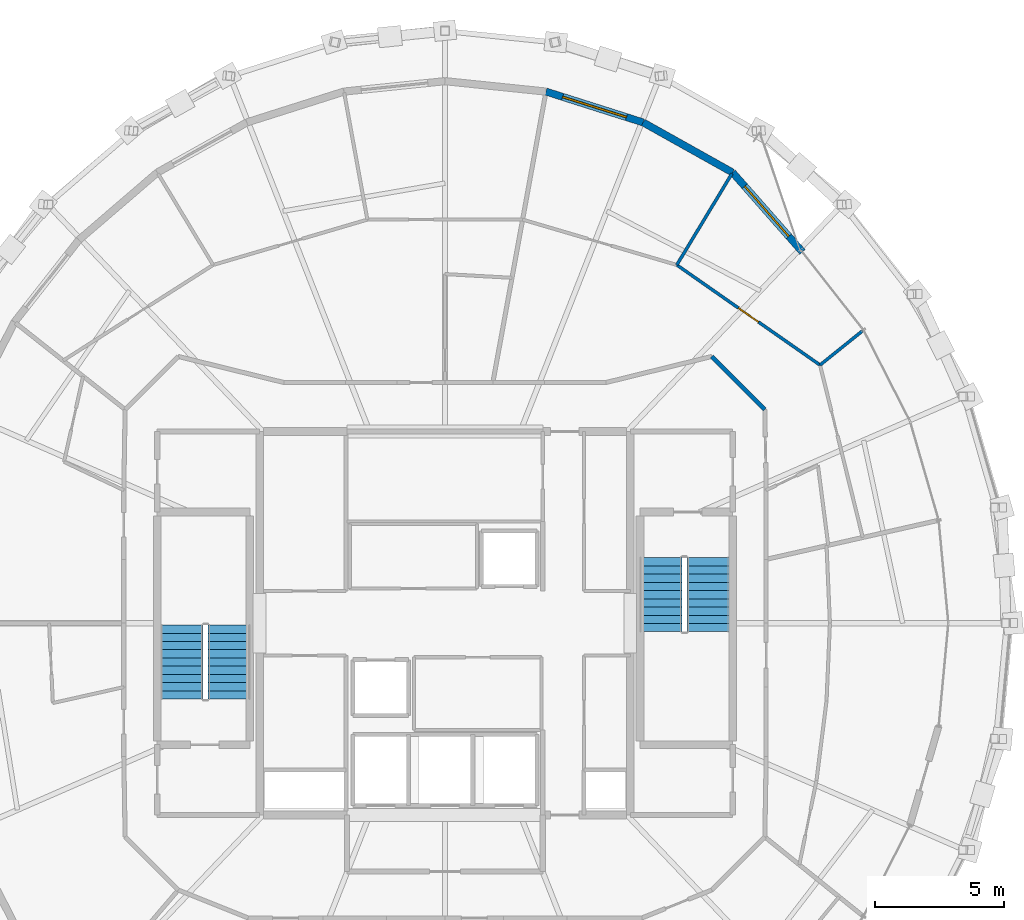
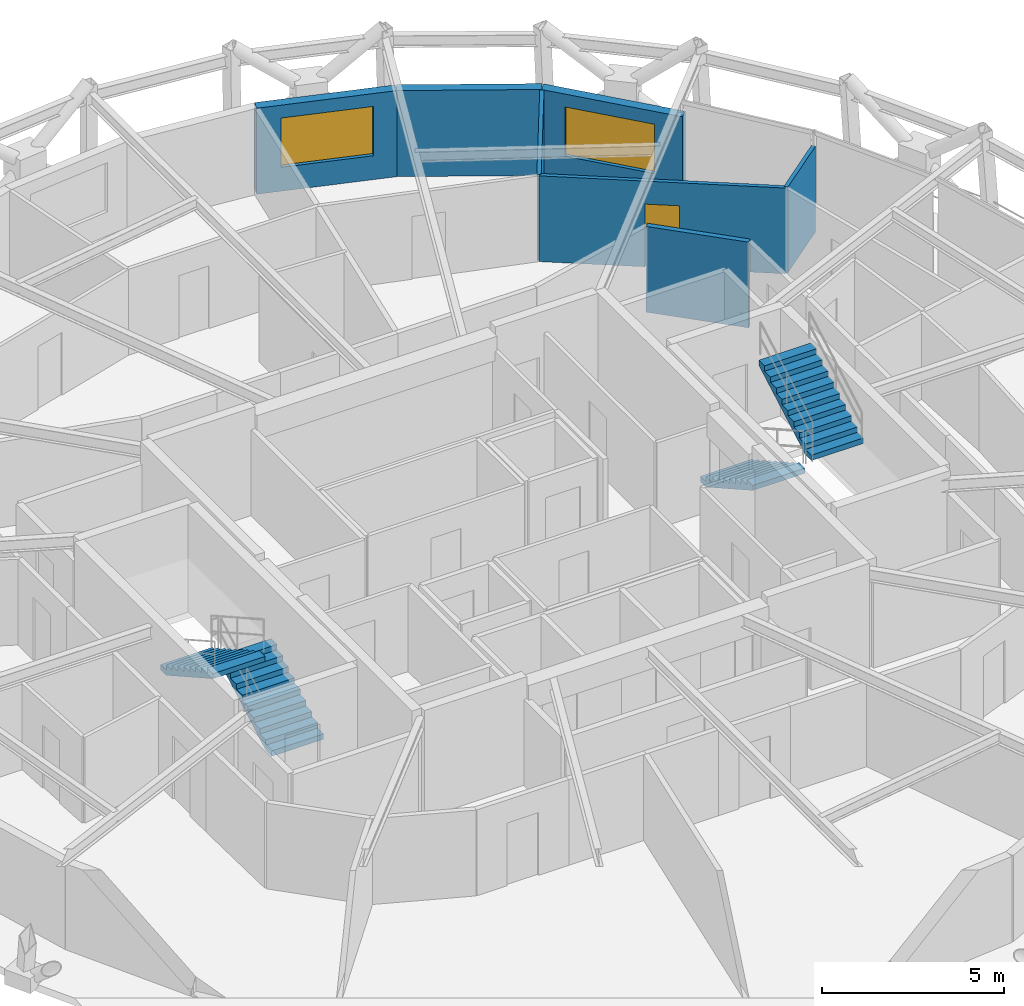
# One storey, part 14 of 15: 7 walls, 4 stair flights, 2 windows, 1 door, 3 openings, 2 elements without a shape of their own.
"""IFC4 building model written with IfcOpenShell, lengths in metres."""

from ifc_helpers import new_model, si_unit, direction, frame, frame_2d, origin, place, context, subcontext, project, spatial, polyline, rectangle, outline, extrude, material, layer, layer_set, type_object, element, fill, aggregate, save


model = new_model("IFC4")

# Units and contexts
model_context = context("Model", 3, precision=1e-05, world=origin(), true_north=direction((0.0, 1.0)))
body_context = subcontext(model_context, "Body", "Model", "MODEL_VIEW")
ifc_project = project(units=[si_unit("LENGTHUNIT", "METRE"), si_unit("AREAUNIT", "SQUARE_METRE"), si_unit("VOLUMEUNIT", "CUBIC_METRE"), si_unit("PLANEANGLEUNIT", "RADIAN"), si_unit("MASSUNIT", "GRAM", prefix="KILO")], contexts=[model_context])

# Site, building, storey
site_placement = place(None, origin())
site = spatial("IfcSite", under=ifc_project, at=site_placement, CompositionType="ELEMENT")
building_placement = place(site_placement, origin())
building = spatial("IfcBuilding", under=site, at=building_placement, Name="Veldorina Hangang Commons", CompositionType="ELEMENT")
storey_placement = place(building_placement, frame((0.0, 0.0, 261.60009765625)))
storey = spatial("IfcBuildingStorey", under=building, at=storey_placement, Name="L68", CompositionType="ELEMENT", Elevation=261.60009765625)

# Wall, opening, window
ifc_material_1 = material(Name="Stone Roman Travertine", Category="masonry")
ifc_layer_1 = layer(ifc_material_1, 0.280029296875)
ifc_layer_set_1 = layer_set([ifc_layer_1], Name="Stone Roman Travertine")
wall_type_1 = type_object("IfcWallType", Name="EW-TRAV-280", PredefinedType="STANDARD", material=ifc_layer_set_1)
wall_1_placement = place(storey_placement, frame((45.88818359375, 38.427490234375, 0.0), z_axis=(0.0, 0.0, 1.0), x_axis=(-0.660459054775, 0.750862062543, 0.0)))
wall_1 = element("IfcWall", 1, at=wall_1_placement, inside=storey, type_object=wall_type_1, Name="L68 travertine facade wall 04", PredefinedType="STANDARD", context=body_context, shape_type="SweptSolid", body=[
    extrude(rectangle(XDim=4.107666015625, YDim=0.280029296875, at=frame_2d((2.0537109375, 0.0))), origin(), (0.0, 0.0, 1.0), 2.8798828125),
])
opening_1_placement = place(wall_1_placement, frame((0.7998046875, 0.0, 0.800048828125)))
opening_1 = element("IfcOpeningElement", 2, at=opening_1_placement, cuts=wall_1, Name="Opening W-02", PredefinedType="OPENING", context=body_context, shape_type="SweptSolid", body=[
    extrude(rectangle(XDim=2.60009765625, YDim=1.64990234375, at=frame_2d((1.300048828125, 0.824951171875))), frame((0.0, 0.14990234375, 0.0), z_axis=(0.0, -1.0, 0.0), x_axis=(1.0, 0.0, 0.0)), (0.0, 0.0, 1.0), 0.300048828125),
])
ifc_material_2 = material(Name="Glass Low-E Triple IGU", Category="glass")
window_type = type_object("IfcWindowType", Name="WIN-TWR-2600", PartitioningType="SINGLE_PANEL", PredefinedType="WINDOW", material=ifc_material_2)
window_1_placement = place(opening_1_placement, origin())
window_1 = element("IfcWindow", 3, at=window_1_placement, inside=storey, type_object=window_type, Name="L68 facade window 04", OverallHeight=1.64990234375, OverallWidth=2.60009765625, PartitioningType="SINGLE_PANEL", PredefinedType="WINDOW", context=body_context, shape_type="SweptSolid", body=[
    extrude(rectangle(XDim=2.60009765625, YDim=1.64990234375, at=frame_2d((1.300048828125, 0.824951171875))), frame((0.0, 0.030029296875, 0.0), z_axis=(0.0, -1.0, 0.0), x_axis=(1.0, 0.0, 0.0)), (0.0, 0.0, 1.0), 0.06005859375),
])
fill(opening_1, window_1)

# Wall
wall_2_placement = place(storey_placement, frame((43.17529296875, 41.51171875, 0.0), z_axis=(0.0, 0.0, 1.0), x_axis=(-0.872627171538, 0.488386956719, 0.0)))
element("IfcWall", 4, at=wall_2_placement, inside=storey, type_object=wall_type_1, Name="L68 travertine facade wall 05", PredefinedType="STANDARD", context=body_context, shape_type="SweptSolid", body=[
    extrude(rectangle(XDim=3.985107421875, YDim=0.280029296875, at=frame_2d((1.99267578125, 0.0))), origin(), (0.0, 0.0, 1.0), 2.8798828125),
])

# Wall, opening, window
wall_3_placement = place(storey_placement, frame((39.69775390625, 43.4580078125, 0.0), z_axis=(0.0, 0.0, 1.0), x_axis=(-0.953082762893, 0.302709839741, 0.0)))
wall_3 = element("IfcWall", 5, at=wall_3_placement, inside=storey, type_object=wall_type_1, Name="L68 travertine facade wall 06", PredefinedType="STANDARD", context=body_context, shape_type="SweptSolid", body=[
    extrude(rectangle(XDim=3.959228515625, YDim=0.280029296875, at=frame_2d((1.9794921875, 0.0))), origin(), (0.0, 0.0, 1.0), 2.8798828125),
])
opening_2_placement = place(wall_3_placement, frame((0.6796875, 0.0, 0.800048828125)))
opening_2 = element("IfcOpeningElement", 6, at=opening_2_placement, cuts=wall_3, Name="Opening W-02", PredefinedType="OPENING", context=body_context, shape_type="SweptSolid", body=[
    extrude(rectangle(XDim=2.60009765625, YDim=1.64990234375, at=frame_2d((1.300048828125, 0.824951171875))), frame((0.0, 0.14990234375, 0.0), z_axis=(0.0, -1.0, 0.0), x_axis=(1.0, 0.0, 0.0)), (0.0, 0.0, 1.0), 0.300048828125),
])
window_2_placement = place(opening_2_placement, origin())
window_2 = element("IfcWindow", 7, at=window_2_placement, inside=storey, type_object=window_type, Name="L68 facade window 06", OverallHeight=1.64990234375, OverallWidth=2.60009765625, PartitioningType="SINGLE_PANEL", PredefinedType="WINDOW", context=body_context, shape_type="SweptSolid", body=[
    extrude(rectangle(XDim=2.60009765625, YDim=1.64990234375, at=frame_2d((1.300048828125, 0.824951171875))), frame((0.0, 0.030029296875, 0.0), z_axis=(0.0, -1.0, 0.0), x_axis=(1.0, 0.0, 0.0)), (0.0, 0.0, 1.0), 0.06005859375),
])
fill(opening_2, window_2)

# Wall
ifc_material_3 = material(Name="Gypsum Fire-Rated Twin Stud Wall", Category="gypsum")
ifc_layer_2 = layer(ifc_material_3, 0.159912109375)
ifc_layer_set_2 = layer_set([ifc_layer_2], Name="Gypsum Fire-Rated Twin Stud Wall")
wall_type_2 = type_object("IfcWallType", Name="WL-FIRE-160", PredefinedType="SOLIDWALL", material=ifc_layer_set_2)
wall_4_placement = place(storey_placement, frame((44.4267578125, 32.30322265625, 0.0), z_axis=(0.0, 0.0, 1.0), x_axis=(-0.707106781187, 0.707106781187, 0.0)))
element("IfcWall", 8, at=wall_4_placement, inside=storey, type_object=wall_type_2, Name="L68 Compact collar outer wall 03 053", PredefinedType="SOLIDWALL", context=body_context, shape_type="SweptSolid", body=[
    extrude(rectangle(XDim=2.915771484375, YDim=0.159912109375, at=frame_2d((1.4580078125, 0.0))), origin(), (0.0, 0.0, 1.0), 2.869873046875),
])

# Wall, opening, door
ifc_material_4 = material(Name="Gypsum Acoustic Stud Partition", Category="gypsum")
ifc_layer_3 = layer(ifc_material_4, 0.1201171875)
ifc_layer_set_3 = layer_set([ifc_layer_3], Name="Gypsum Acoustic Stud Partition")
wall_type_3 = type_object("IfcWallType", Name="WL-PART-120", PredefinedType="PARTITIONING", material=ifc_layer_set_3)
wall_5_placement = place(storey_placement, frame((46.572998046875, 34.03173828125, 0.0), z_axis=(0.0, 0.0, 1.0), x_axis=(-0.819731618805, 0.572747826824, 0.0)))
wall_5 = element("IfcWall", 9, at=wall_5_placement, inside=storey, type_object=wall_type_3, Name="L68 Cluster 2 bed 2 front wall 091", PredefinedType="PARTITIONING", context=body_context, shape_type="SweptSolid", body=[
    extrude(rectangle(XDim=6.7900390625, YDim=0.1201171875, at=frame_2d((3.39501953125, 0.0))), origin(), (0.0, 0.0, 1.0), 2.869873046875),
])
opening_3_placement = place(wall_5_placement, frame((2.919921875, 0.0, 0.0)))
opening_3 = element("IfcOpeningElement", 10, at=opening_3_placement, cuts=wall_5, Name="Opening D-02", PredefinedType="OPENING", context=body_context, shape_type="SweptSolid", body=[
    extrude(rectangle(XDim=0.949951171875, YDim=2.10009765625, at=frame_2d((0.47509765625, 1.050048828125))), frame((0.0, 0.070068359375, 0.0), z_axis=(0.0, -1.0, 0.0), x_axis=(1.0, 0.0, 0.0)), (0.0, 0.0, 1.0), 0.14013671875),
])
ifc_material_5 = material(Name="Timber Solid Core Acoustic", Category="wood")
door_type = type_object("IfcDoorType", Name="DR-INT-950", OperationType="SINGLE_SWING_LEFT", PredefinedType="DOOR", material=ifc_material_5)
door_placement = place(opening_3_placement, origin())
door = element("IfcDoor", 11, at=door_placement, inside=storey, type_object=door_type, Name="L68 Cluster 2 bed 2 door 023", OperationType="SINGLE_SWING_LEFT", OverallHeight=2.10009765625, OverallWidth=0.949951171875, PredefinedType="DOOR", context=body_context, shape_type="SweptSolid", body=[
    extrude(rectangle(XDim=0.949951171875, YDim=2.10009765625, at=frame_2d((0.47509765625, 1.050048828125))), frame((0.0, 0.02490234375, 0.0), z_axis=(0.0, -1.0, 0.0), x_axis=(1.0, 0.0, 0.0)), (0.0, 0.0, 1.0), 0.050048828125),
])
fill(opening_3, door)

# Walls
wall_6_placement = place(storey_placement, frame((46.572998046875, 34.03173828125, 0.0), z_axis=(0.0, 0.0, 1.0), x_axis=(0.778905804769, 0.62714093097, 0.0)))
element("IfcWall", 12, at=wall_6_placement, inside=storey, type_object=wall_type_3, Name="L68 Cluster 2 bed divider 1 092", PredefinedType="PARTITIONING", context=body_context, shape_type="SweptSolid", body=[
    extrude(rectangle(XDim=2.115478515625, YDim=0.1201171875, at=frame_2d((1.0576171875, 0.0))), origin(), (0.0, 0.0, 1.0), 2.869873046875),
])
wall_7_placement = place(storey_placement, frame((41.007080078125, 37.920654296875, 0.0), z_axis=(0.0, 0.0, 1.0), x_axis=(0.516901675456, 0.856044775646, 0.0)))
element("IfcWall", 13, at=wall_7_placement, inside=storey, type_object=wall_type_3, Name="L68 Cluster 2 bed divider 2 094", PredefinedType="PARTITIONING", context=body_context, shape_type="SweptSolid", body=[
    extrude(rectangle(XDim=4.14501953125, YDim=0.1201171875, at=frame_2d((2.072509765625, 0.0))), origin(), (0.0, 0.0, 1.0), 2.869873046875),
])

# Stair, stair flights
ifc_material_6 = material(Name="Concrete C40/50", Category="concrete")
stair_type = type_object("IfcStairType", Name="STR-DOG-1650-20R", PredefinedType="HALF_TURN_STAIR", material=ifc_material_6)
stair_1_placement = place(storey_placement, origin())
stair_1 = element("IfcStair", 14, at=stair_1_placement, inside=storey, type_object=stair_type, Name="L68 Exit stair ST-1", PredefinedType="HALF_TURN_STAIR")
stair_flight_type = type_object("IfcStairFlightType", Name="SFL-STR-1650-20R", PredefinedType="STRAIGHT", material=ifc_material_6)
stair_flight_1_placement = place(storey_placement, frame((23.625, 21.050048828125, 0.0), z_axis=(0.0, 0.0, 1.0), x_axis=(0.0, 1.0, 0.0)))
stair_flight_1 = element("IfcStairFlight", 15, at=stair_flight_1_placement, type_object=stair_flight_type, Name="ST-1 flight 1", NumberOfRisers=10, NumberOfTreads=9, PredefinedType="STRAIGHT", RiserHeight=0.18, TreadLength=0.32, context=body_context, shape_type="SweptSolid", body=[
    extrude(outline(polyline([(0.0, 0.0), (0.0, 0.179931640625), (0.320068359375, 0.179931640625), (0.320068359375, 0.360107421875), (0.639892578125, 0.360107421875), (0.639892578125, 0.5400390625), (0.9599609375, 0.5400390625), (0.9599609375, 0.719970703125), (1.280029296875, 0.719970703125), (1.280029296875, 0.89990234375), (1.60009765625, 0.89990234375), (1.60009765625, 1.080078125), (1.919921875, 1.080078125), (1.919921875, 1.260009765625), (2.239990234375, 1.260009765625), (2.239990234375, 1.43994140625), (2.56005859375, 1.43994140625), (2.56005859375, 1.6201171875), (2.8798828125, 1.6201171875), (2.8798828125, 1.800048828125), (2.8798828125, 1.447998046875), (0.3056640625, 0.0), (0.0, 0.0)])), frame((0.0, 0.824951171875, 0.0), z_axis=(0.0, -1.0, 0.0), x_axis=(1.0, 0.0, 0.0)), (0.0, 0.0, 1.0), 1.64990234375),
])
stair_flight_2_placement = place(storey_placement, frame((21.77490234375, 23.929931640625, 1.7998046875), z_axis=(0.0, 0.0, 1.0), x_axis=(0.0, -1.0, 0.0)))
stair_flight_2 = element("IfcStairFlight", 16, at=stair_flight_2_placement, type_object=stair_flight_type, Name="ST-1 flight 2", NumberOfRisers=10, NumberOfTreads=9, PredefinedType="STRAIGHT", RiserHeight=0.18, TreadLength=0.32, context=body_context, shape_type="SweptSolid", body=[
    extrude(outline(polyline([(0.0, 0.0), (0.0, 0.179931640625), (0.320068359375, 0.179931640625), (0.320068359375, 0.360107421875), (0.639892578125, 0.360107421875), (0.639892578125, 0.5400390625), (0.9599609375, 0.5400390625), (0.9599609375, 0.719970703125), (1.280029296875, 0.719970703125), (1.280029296875, 0.89990234375), (1.60009765625, 0.89990234375), (1.60009765625, 1.080078125), (1.919921875, 1.080078125), (1.919921875, 1.260009765625), (2.239990234375, 1.260009765625), (2.239990234375, 1.43994140625), (2.56005859375, 1.43994140625), (2.56005859375, 1.6201171875), (2.8798828125, 1.6201171875), (2.8798828125, 1.800048828125), (2.8798828125, 1.447998046875), (0.3056640625, 0.0), (0.0, 0.0)])), frame((0.0, 0.824951171875, 0.0), z_axis=(0.0, -1.0, 0.0), x_axis=(1.0, 0.0, 0.0)), (0.0, 0.0, 1.0), 1.64990234375),
])
aggregate(stair_1, [stair_flight_1, stair_flight_2])

stair_2_placement = place(storey_placement, origin())
stair_2 = element("IfcStair", 17, at=stair_2_placement, inside=storey, type_object=stair_type, Name="L68 Exit stair ST-2", PredefinedType="HALF_TURN_STAIR")
stair_flight_3_placement = place(storey_placement, frame((40.375, 26.550048828125, 0.0), z_axis=(0.0, 0.0, 1.0), x_axis=(0.0, -1.0, 0.0)))
stair_flight_3 = element("IfcStairFlight", 18, at=stair_flight_3_placement, type_object=stair_flight_type, Name="ST-2 flight 1", NumberOfRisers=10, NumberOfTreads=9, PredefinedType="STRAIGHT", RiserHeight=0.18, TreadLength=0.32, context=body_context, shape_type="SweptSolid", body=[
    extrude(outline(polyline([(0.0, 0.0), (0.0, 0.179931640625), (0.320068359375, 0.179931640625), (0.320068359375, 0.360107421875), (0.639892578125, 0.360107421875), (0.639892578125, 0.5400390625), (0.9599609375, 0.5400390625), (0.9599609375, 0.719970703125), (1.280029296875, 0.719970703125), (1.280029296875, 0.89990234375), (1.60009765625, 0.89990234375), (1.60009765625, 1.080078125), (1.919921875, 1.080078125), (1.919921875, 1.260009765625), (2.239990234375, 1.260009765625), (2.239990234375, 1.43994140625), (2.56005859375, 1.43994140625), (2.56005859375, 1.6201171875), (2.8798828125, 1.6201171875), (2.8798828125, 1.800048828125), (2.8798828125, 1.447998046875), (0.3056640625, 0.0), (0.0, 0.0)])), frame((0.0, 0.824951171875, 0.0), z_axis=(0.0, -1.0, 0.0), x_axis=(1.0, 0.0, 0.0)), (0.0, 0.0, 1.0), 1.64990234375),
])
stair_flight_4_placement = place(storey_placement, frame((42.22509765625, 23.669921875, 1.7998046875), z_axis=(0.0, 0.0, 1.0), x_axis=(0.0, 1.0, 0.0)))
stair_flight_4 = element("IfcStairFlight", 19, at=stair_flight_4_placement, type_object=stair_flight_type, Name="ST-2 flight 2", NumberOfRisers=10, NumberOfTreads=9, PredefinedType="STRAIGHT", RiserHeight=0.18, TreadLength=0.32, context=body_context, shape_type="SweptSolid", body=[
    extrude(outline(polyline([(0.0, 0.0), (0.0, 0.179931640625), (0.320068359375, 0.179931640625), (0.320068359375, 0.360107421875), (0.639892578125, 0.360107421875), (0.639892578125, 0.5400390625), (0.9599609375, 0.5400390625), (0.9599609375, 0.719970703125), (1.280029296875, 0.719970703125), (1.280029296875, 0.89990234375), (1.60009765625, 0.89990234375), (1.60009765625, 1.080078125), (1.919921875, 1.080078125), (1.919921875, 1.260009765625), (2.239990234375, 1.260009765625), (2.239990234375, 1.43994140625), (2.56005859375, 1.43994140625), (2.56005859375, 1.6201171875), (2.8798828125, 1.6201171875), (2.8798828125, 1.800048828125), (2.8798828125, 1.447998046875), (0.3056640625, 0.0), (0.0, 0.0)])), frame((0.0, 0.824951171875, 0.0), z_axis=(0.0, -1.0, 0.0), x_axis=(1.0, 0.0, 0.0)), (0.0, 0.0, 1.0), 1.64990234375),
])
aggregate(stair_2, [stair_flight_3, stair_flight_4])

save(model, "model.ifc")
